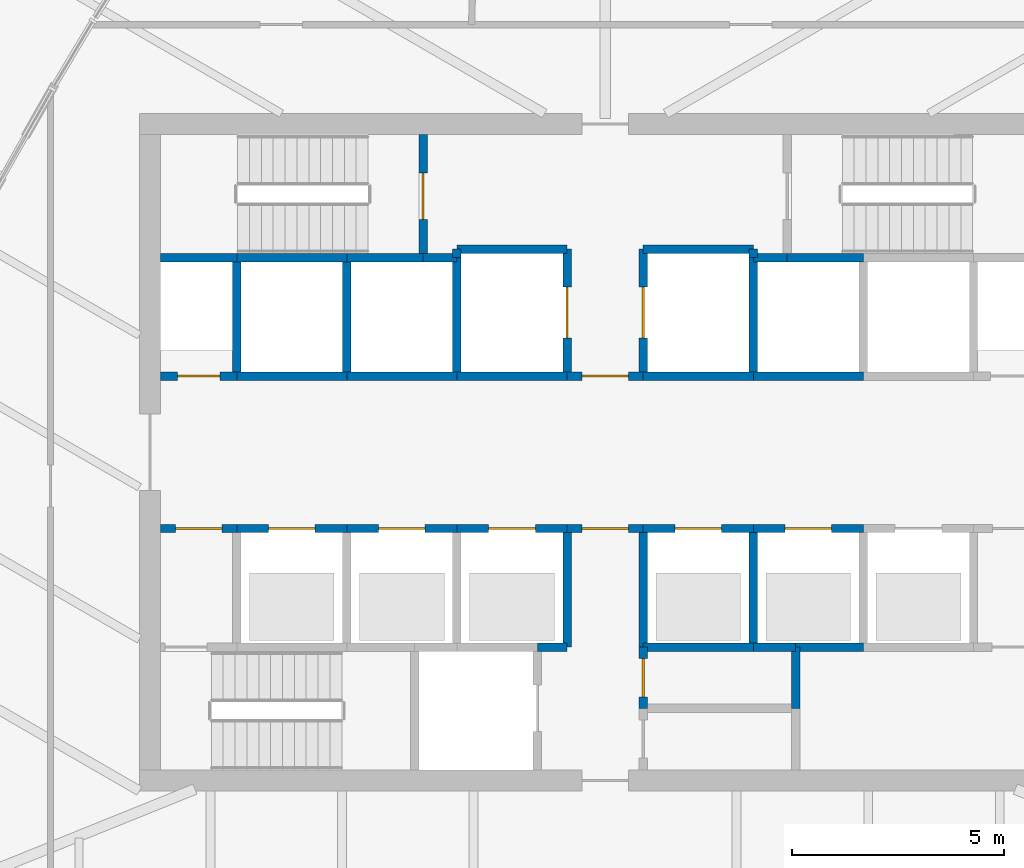
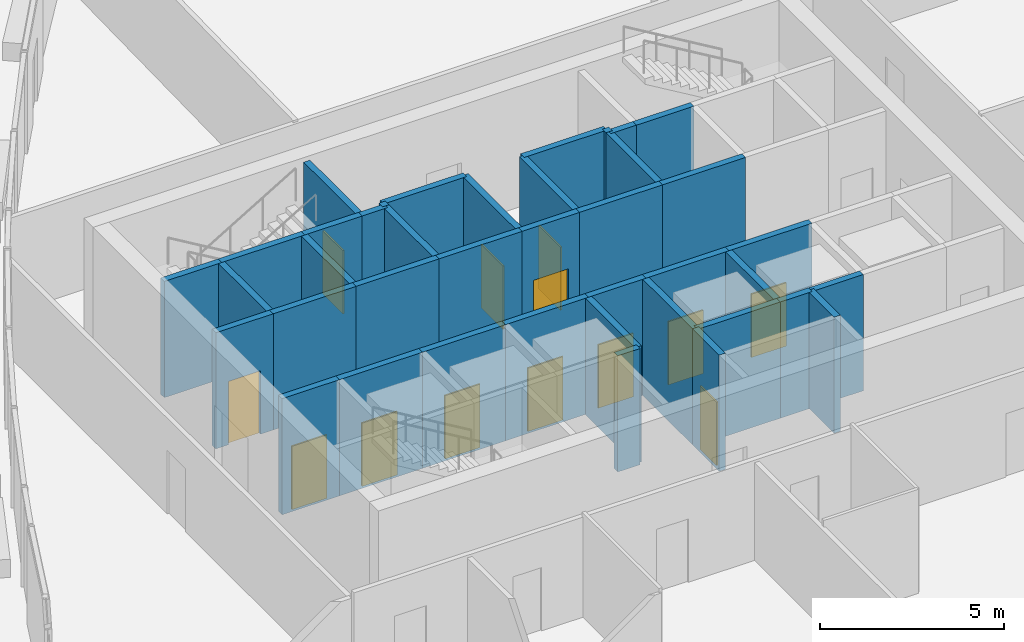
# One storey, part 10 of 18: 40 walls, 13 doors, 13 openings.
"""IFC4 building model written with IfcOpenShell, lengths in metres."""

from ifc_helpers import new_model, si_unit, direction, frame, frame_2d, origin, place, context, subcontext, project, spatial, rectangle, extrude, material, layer, layer_set, type_object, element, fill, save


model = new_model("IFC4")

# Units and contexts
model_context = context("Model", 3, precision=1e-05, world=origin(), true_north=direction((0.0, 1.0)))
body_context = subcontext(model_context, "Body", "Model", "MODEL_VIEW")
ifc_project = project(units=[si_unit("LENGTHUNIT", "METRE"), si_unit("AREAUNIT", "SQUARE_METRE"), si_unit("VOLUMEUNIT", "CUBIC_METRE"), si_unit("PLANEANGLEUNIT", "RADIAN"), si_unit("MASSUNIT", "GRAM", prefix="KILO")], contexts=[model_context])

# Site, building, storey
site_placement = place(None, origin())
site = spatial("IfcSite", under=ifc_project, at=site_placement, CompositionType="ELEMENT")
building_placement = place(site_placement, origin())
building = spatial("IfcBuilding", under=site, at=building_placement, Name="Sierra Prisma Convention Tower", CompositionType="ELEMENT")
storey_placement = place(building_placement, frame((0.0, 0.0, 189.800048828125)))
storey = spatial("IfcBuildingStorey", under=building, at=storey_placement, Name="L42", CompositionType="ELEMENT", Elevation=189.800048828125)

# Wall, opening, door
ifc_material_1 = material(Name="Concrete C30/37", Category="concrete")
ifc_layer = layer(ifc_material_1, 0.199951171875)
ifc_layer_set = layer_set([ifc_layer], Name="Core wall RC 200 C30/37")
wall_type = type_object("IfcWallType", Name="Core wall RC 200 C30/37", PredefinedType="SOLIDWALL", material=ifc_layer_set)
wall_1_placement = place(storey_placement, frame((-10.5, -1.800048828125, 0.0), z_axis=(0.0, 0.0, 1.0), x_axis=(1.0, 0.0, 0.0)))
wall_1 = element("IfcWall", 1, at=wall_1_placement, inside=storey, type_object=wall_type, Name="Core wall L42 2", PredefinedType="SOLIDWALL", context=body_context, shape_type="SweptSolid", body=[
    extrude(rectangle(XDim=1.800048828125, YDim=0.199951171875, at=frame_2d((0.89990234375, 0.0))), origin(), (0.0, 0.0, 1.0), 3.849853515625),
])
opening_1_placement = place(wall_1_placement, frame((0.35009765625, 0.0, 0.0)))
opening_1 = element("IfcOpeningElement", 2, at=opening_1_placement, cuts=wall_1, Name="Opening L42-D013", PredefinedType="OPENING", context=body_context, shape_type="SweptSolid", body=[
    extrude(rectangle(XDim=1.10009765625, YDim=2.10009765625, at=frame_2d((0.550048828125, 1.050048828125))), frame((0.0, 0.10009765625, 0.0), z_axis=(0.0, -1.0, 0.0), x_axis=(1.0, 0.0, 0.0)), (0.0, 0.0, 1.0), 0.199951171875),
])
ifc_material_2 = material(Name="Steel fire door leaf", Category="steel")
door_type_1 = type_object("IfcDoorType", Name="Door 1100x2100 FD90S", OperationType="SINGLE_SWING_LEFT", PredefinedType="DOOR", material=ifc_material_2)
door_1_placement = place(opening_1_placement, origin())
door_1 = element("IfcDoor", 3, at=door_1_placement, inside=storey, type_object=door_type_1, Name="Door L42 22", OperationType="SINGLE_SWING_RIGHT", OverallHeight=2.10009765625, OverallWidth=1.10009765625, PredefinedType="DOOR", context=body_context, shape_type="SweptSolid", body=[
    extrude(rectangle(XDim=1.10009765625, YDim=2.10009765625, at=frame_2d((0.550048828125, 1.050048828125))), frame((0.0, 0.02490234375, 0.0), z_axis=(0.0, -1.0, 0.0), x_axis=(1.0, 0.0, 0.0)), (0.0, 0.0, 1.0), 0.050048828125),
])
fill(opening_1, door_1)

wall_2_placement = place(storey_placement, frame((-8.699951171875, 1.800048828125, 0.0), z_axis=(0.0, 0.0, 1.0), x_axis=(-1.0, 0.0, 0.0)))
wall_2 = element("IfcWall", 4, at=wall_2_placement, inside=storey, type_object=wall_type, Name="Core wall L42 3", PredefinedType="SOLIDWALL", context=body_context, shape_type="SweptSolid", body=[
    extrude(rectangle(XDim=1.800048828125, YDim=0.199951171875, at=frame_2d((0.89990234375, 0.0))), origin(), (0.0, 0.0, 1.0), 3.849853515625),
])
opening_2_placement = place(wall_2_placement, frame((0.39990234375, 0.0, 0.0)))
opening_2 = element("IfcOpeningElement", 5, at=opening_2_placement, cuts=wall_2, Name="Opening L42-D016", PredefinedType="OPENING", context=body_context, shape_type="SweptSolid", body=[
    extrude(rectangle(XDim=1.0, YDim=2.10009765625, at=frame_2d((0.5, 1.050048828125))), frame((0.0, 0.10009765625, 0.0), z_axis=(0.0, -1.0, 0.0), x_axis=(1.0, 0.0, 0.0)), (0.0, 0.0, 1.0), 0.199951171875),
])
ifc_material_3 = material(Name="Steel fire door leaf", Category="steel")
door_type_2 = type_object("IfcDoorType", Name="Door 1000x2100 FD60S", OperationType="SINGLE_SWING_LEFT", PredefinedType="DOOR", material=ifc_material_3)
door_2_placement = place(opening_2_placement, origin())
door_2 = element("IfcDoor", 6, at=door_2_placement, inside=storey, type_object=door_type_2, Name="Door L42 25", OperationType="SINGLE_SWING_LEFT", OverallHeight=2.10009765625, OverallWidth=1.0, PredefinedType="DOOR", context=body_context, shape_type="SweptSolid", body=[
    extrude(rectangle(XDim=1.0, YDim=2.10009765625, at=frame_2d((0.5, 1.050048828125))), frame((0.0, 0.02490234375, 0.0), z_axis=(0.0, -1.0, 0.0), x_axis=(1.0, 0.0, 0.0)), (0.0, 0.0, 1.0), 0.050048828125),
])
fill(opening_2, door_2)

# Wall
wall_3_placement = place(storey_placement, frame((-8.699951171875, 4.60009765625, 0.0), z_axis=(0.0, 0.0, 1.0), x_axis=(-1.0, 0.0, 0.0)))
element("IfcWall", 7, at=wall_3_placement, inside=storey, type_object=wall_type, Name="Core wall L42 4", PredefinedType="SOLIDWALL", context=body_context, shape_type="SweptSolid", body=[
    extrude(rectangle(XDim=1.800048828125, YDim=0.199951171875, at=frame_2d((0.89990234375, 0.0))), origin(), (0.0, 0.0, 1.0), 3.849853515625),
])

# Wall, opening, door
wall_4_placement = place(storey_placement, frame((-8.699951171875, -1.800048828125, 0.0), z_axis=(0.0, 0.0, 1.0), x_axis=(1.0, 0.0, 0.0)))
wall_4 = element("IfcWall", 8, at=wall_4_placement, inside=storey, type_object=wall_type, Name="Core wall L42 7", PredefinedType="SOLIDWALL", context=body_context, shape_type="SweptSolid", body=[
    extrude(rectangle(XDim=2.599853515625, YDim=0.199951171875, at=frame_2d((1.2998046875, 0.0))), origin(), (0.0, 0.0, 1.0), 3.849853515625),
])
opening_3_placement = place(wall_4_placement, frame((0.75, 0.0, 0.0)))
opening_3 = element("IfcOpeningElement", 9, at=opening_3_placement, cuts=wall_4, Name="Opening L42-D004", PredefinedType="OPENING", context=body_context, shape_type="SweptSolid", body=[
    extrude(rectangle(XDim=1.10009765625, YDim=2.10009765625, at=frame_2d((0.550048828125, 1.050048828125))), frame((0.0, 0.10009765625, 0.0), z_axis=(0.0, -1.0, 0.0), x_axis=(1.0, 0.0, 0.0)), (0.0, 0.0, 1.0), 0.199951171875),
])
ifc_material_4 = material(Name="Steel fire door leaf", Category="steel")
door_type_3 = type_object("IfcDoorType", Name="Door 1100x2100 EI 90 sliding lift landing", OperationType="SLIDING_TO_LEFT", PredefinedType="DOOR", material=ifc_material_4)
door_3_placement = place(opening_3_placement, origin())
door_3 = element("IfcDoor", 10, at=door_3_placement, inside=storey, type_object=door_type_3, Name="Door L42 13", OperationType="SLIDING_TO_LEFT", OverallHeight=2.10009765625, OverallWidth=1.10009765625, PredefinedType="DOOR", context=body_context, shape_type="SweptSolid", body=[
    extrude(rectangle(XDim=1.10009765625, YDim=2.10009765625, at=frame_2d((0.550048828125, 1.050048828125))), frame((0.0, 0.02490234375, 0.0), z_axis=(0.0, -1.0, 0.0), x_axis=(1.0, 0.0, 0.0)), (0.0, 0.0, 1.0), 0.050048828125),
])
fill(opening_3, door_3)

# Walls
wall_5_placement = place(storey_placement, frame((-6.10009765625, 1.800048828125, 0.0), z_axis=(0.0, 0.0, 1.0), x_axis=(-1.0, 0.0, 0.0)))
element("IfcWall", 11, at=wall_5_placement, inside=storey, type_object=wall_type, Name="Core wall L42 8", PredefinedType="SOLIDWALL", context=body_context, shape_type="SweptSolid", body=[
    extrude(rectangle(XDim=2.599853515625, YDim=0.199951171875, at=frame_2d((1.2998046875, 0.0))), origin(), (0.0, 0.0, 1.0), 3.849853515625),
])
wall_6_placement = place(storey_placement, frame((-8.699951171875, 1.800048828125, 0.0), z_axis=(0.0, 0.0, 1.0), x_axis=(0.0, 1.0, 0.0)))
element("IfcWall", 12, at=wall_6_placement, inside=storey, type_object=wall_type, Name="Core wall L42 9", PredefinedType="SOLIDWALL", context=body_context, shape_type="SweptSolid", body=[
    extrude(rectangle(XDim=2.800048828125, YDim=0.199951171875, at=frame_2d((1.39990234375, 0.0))), origin(), (0.0, 0.0, 1.0), 3.849853515625),
])
wall_7_placement = place(storey_placement, frame((-6.10009765625, 4.60009765625, 0.0), z_axis=(0.0, 0.0, 1.0), x_axis=(-1.0, 0.0, 0.0)))
element("IfcWall", 13, at=wall_7_placement, inside=storey, type_object=wall_type, Name="Core wall L42 10", PredefinedType="SOLIDWALL", context=body_context, shape_type="SweptSolid", body=[
    extrude(rectangle(XDim=2.599853515625, YDim=0.199951171875, at=frame_2d((1.2998046875, 0.0))), origin(), (0.0, 0.0, 1.0), 3.849853515625),
])

# Wall, opening, door
wall_8_placement = place(storey_placement, frame((-6.10009765625, -1.800048828125, 0.0), z_axis=(0.0, 0.0, 1.0), x_axis=(1.0, 0.0, 0.0)))
wall_8 = element("IfcWall", 14, at=wall_8_placement, inside=storey, type_object=wall_type, Name="Core wall L42 13", PredefinedType="SOLIDWALL", context=body_context, shape_type="SweptSolid", body=[
    extrude(rectangle(XDim=2.60009765625, YDim=0.199951171875, at=frame_2d((1.300048828125, 0.0))), origin(), (0.0, 0.0, 1.0), 3.849853515625),
])
opening_4_placement = place(wall_8_placement, frame((0.75, 0.0, 0.0)))
opening_4 = element("IfcOpeningElement", 15, at=opening_4_placement, cuts=wall_8, Name="Opening L42-D005", PredefinedType="OPENING", context=body_context, shape_type="SweptSolid", body=[
    extrude(rectangle(XDim=1.10009765625, YDim=2.10009765625, at=frame_2d((0.550048828125, 1.050048828125))), frame((0.0, 0.10009765625, 0.0), z_axis=(0.0, -1.0, 0.0), x_axis=(1.0, 0.0, 0.0)), (0.0, 0.0, 1.0), 0.199951171875),
])
door_4_placement = place(opening_4_placement, origin())
door_4 = element("IfcDoor", 16, at=door_4_placement, inside=storey, type_object=door_type_3, Name="Door L42 14", OperationType="SLIDING_TO_RIGHT", OverallHeight=2.10009765625, OverallWidth=1.10009765625, PredefinedType="DOOR", context=body_context, shape_type="SweptSolid", body=[
    extrude(rectangle(XDim=1.10009765625, YDim=2.10009765625, at=frame_2d((0.550048828125, 1.050048828125))), frame((0.0, 0.02490234375, 0.0), z_axis=(0.0, -1.0, 0.0), x_axis=(1.0, 0.0, 0.0)), (0.0, 0.0, 1.0), 0.050048828125),
])
fill(opening_4, door_4)

# Walls
wall_9_placement = place(storey_placement, frame((-3.5, 1.800048828125, 0.0), z_axis=(0.0, 0.0, 1.0), x_axis=(-1.0, 0.0, 0.0)))
element("IfcWall", 17, at=wall_9_placement, inside=storey, type_object=wall_type, Name="Core wall L42 14", PredefinedType="SOLIDWALL", context=body_context, shape_type="SweptSolid", body=[
    extrude(rectangle(XDim=2.60009765625, YDim=0.199951171875, at=frame_2d((1.300048828125, 0.0))), origin(), (0.0, 0.0, 1.0), 3.849853515625),
])
wall_10_placement = place(storey_placement, frame((-6.10009765625, 1.800048828125, 0.0), z_axis=(0.0, 0.0, 1.0), x_axis=(0.0, 1.0, 0.0)))
element("IfcWall", 18, at=wall_10_placement, inside=storey, type_object=wall_type, Name="Core wall L42 15", PredefinedType="SOLIDWALL", context=body_context, shape_type="SweptSolid", body=[
    extrude(rectangle(XDim=2.800048828125, YDim=0.199951171875, at=frame_2d((1.39990234375, 0.0))), origin(), (0.0, 0.0, 1.0), 3.849853515625),
])
wall_11_placement = place(storey_placement, frame((-4.300048828125, 4.60009765625, 0.0), z_axis=(0.0, 0.0, 1.0), x_axis=(-1.0, 0.0, 0.0)))
element("IfcWall", 19, at=wall_11_placement, inside=storey, type_object=wall_type, Name="Core wall L42 16", PredefinedType="SOLIDWALL", context=body_context, shape_type="SweptSolid", body=[
    extrude(rectangle(XDim=1.800048828125, YDim=0.199951171875, at=frame_2d((0.89990234375, 0.0))), origin(), (0.0, 0.0, 1.0), 3.849853515625),
])
wall_12_placement = place(storey_placement, frame((-3.5, 4.60009765625, 0.0), z_axis=(0.0, 0.0, 1.0), x_axis=(-1.0, 0.0, 0.0)))
element("IfcWall", 20, at=wall_12_placement, inside=storey, type_object=wall_type, Name="Core wall L42 19", PredefinedType="SOLIDWALL", context=body_context, shape_type="SweptSolid", body=[
    extrude(rectangle(XDim=0.800048828125, YDim=0.199951171875, at=frame_2d((0.39990234375, 0.0))), origin(), (0.0, 0.0, 1.0), 3.849853515625),
])

# Wall, opening, door
wall_13_placement = place(storey_placement, frame((-4.300048828125, 4.60009765625, 0.0), z_axis=(0.0, 0.0, 1.0), x_axis=(0.0, 1.0, 0.0)))
wall_13 = element("IfcWall", 21, at=wall_13_placement, inside=storey, type_object=wall_type, Name="Core wall L42 20", PredefinedType="SOLIDWALL", context=body_context, shape_type="SweptSolid", body=[
    extrude(rectangle(XDim=2.89990234375, YDim=0.199951171875, at=frame_2d((1.449951171875, 0.0))), origin(), (0.0, 0.0, 1.0), 3.849853515625),
])
opening_5_placement = place(wall_13_placement, frame((0.89990234375, 0.0, 0.0)))
opening_5 = element("IfcOpeningElement", 22, at=opening_5_placement, cuts=wall_13, Name="Opening L42-D019", PredefinedType="OPENING", context=body_context, shape_type="SweptSolid", body=[
    extrude(rectangle(XDim=1.10009765625, YDim=2.10009765625, at=frame_2d((0.550048828125, 1.050048828125))), frame((0.0, 0.10009765625, 0.0), z_axis=(0.0, -1.0, 0.0), x_axis=(1.0, 0.0, 0.0)), (0.0, 0.0, 1.0), 0.199951171875),
])
door_5_placement = place(opening_5_placement, origin())
door_5 = element("IfcDoor", 23, at=door_5_placement, inside=storey, type_object=door_type_1, Name="Door L42 28", OperationType="SINGLE_SWING_RIGHT", OverallHeight=2.10009765625, OverallWidth=1.10009765625, PredefinedType="DOOR", context=body_context, shape_type="SweptSolid", body=[
    extrude(rectangle(XDim=1.10009765625, YDim=2.10009765625, at=frame_2d((0.550048828125, 1.050048828125))), frame((0.0, 0.02490234375, 0.0), z_axis=(0.0, -1.0, 0.0), x_axis=(1.0, 0.0, 0.0)), (0.0, 0.0, 1.0), 0.050048828125),
])
fill(opening_5, door_5)

wall_14_placement = place(storey_placement, frame((-3.5, -1.800048828125, 0.0), z_axis=(0.0, 0.0, 1.0), x_axis=(1.0, 0.0, 0.0)))
wall_14 = element("IfcWall", 24, at=wall_14_placement, inside=storey, type_object=wall_type, Name="Core wall L42 23", PredefinedType="SOLIDWALL", context=body_context, shape_type="SweptSolid", body=[
    extrude(rectangle(XDim=2.60009765625, YDim=0.199951171875, at=frame_2d((1.300048828125, 0.0))), origin(), (0.0, 0.0, 1.0), 3.849853515625),
])
opening_6_placement = place(wall_14_placement, frame((0.75, 0.0, 0.0)))
opening_6 = element("IfcOpeningElement", 25, at=opening_6_placement, cuts=wall_14, Name="Opening L42-D006", PredefinedType="OPENING", context=body_context, shape_type="SweptSolid", body=[
    extrude(rectangle(XDim=1.10009765625, YDim=2.10009765625, at=frame_2d((0.550048828125, 1.050048828125))), frame((0.0, 0.10009765625, 0.0), z_axis=(0.0, -1.0, 0.0), x_axis=(1.0, 0.0, 0.0)), (0.0, 0.0, 1.0), 0.199951171875),
])
door_6_placement = place(opening_6_placement, origin())
door_6 = element("IfcDoor", 26, at=door_6_placement, inside=storey, type_object=door_type_3, Name="Door L42 15", OperationType="SLIDING_TO_RIGHT", OverallHeight=2.10009765625, OverallWidth=1.10009765625, PredefinedType="DOOR", context=body_context, shape_type="SweptSolid", body=[
    extrude(rectangle(XDim=1.10009765625, YDim=2.10009765625, at=frame_2d((0.550048828125, 1.050048828125))), frame((0.0, 0.02490234375, 0.0), z_axis=(0.0, -1.0, 0.0), x_axis=(1.0, 0.0, 0.0)), (0.0, 0.0, 1.0), 0.050048828125),
])
fill(opening_6, door_6)

# Walls
wall_15_placement = place(storey_placement, frame((-0.89990234375, 1.800048828125, 0.0), z_axis=(0.0, 0.0, 1.0), x_axis=(-1.0, 0.0, 0.0)))
element("IfcWall", 27, at=wall_15_placement, inside=storey, type_object=wall_type, Name="Core wall L42 24", PredefinedType="SOLIDWALL", context=body_context, shape_type="SweptSolid", body=[
    extrude(rectangle(XDim=2.60009765625, YDim=0.199951171875, at=frame_2d((1.300048828125, 0.0))), origin(), (0.0, 0.0, 1.0), 3.849853515625),
])
wall_16_placement = place(storey_placement, frame((-3.5, 4.60009765625, 0.0), z_axis=(0.0, 0.0, 1.0), x_axis=(0.0, -1.0, 0.0)))
element("IfcWall", 28, at=wall_16_placement, inside=storey, type_object=wall_type, Name="Core wall L42 25", PredefinedType="SOLIDWALL", context=body_context, shape_type="SweptSolid", body=[
    extrude(rectangle(XDim=2.800048828125, YDim=0.199951171875, at=frame_2d((1.39990234375, 0.0))), origin(), (0.0, 0.0, 1.0), 3.849853515625),
])

# Wall, opening, door
wall_17_placement = place(storey_placement, frame((-0.89990234375, 1.800048828125, 0.0), z_axis=(0.0, 0.0, 1.0), x_axis=(0.0, 1.0, 0.0)))
wall_17 = element("IfcWall", 29, at=wall_17_placement, inside=storey, type_object=wall_type, Name="Core wall L42 26", PredefinedType="SOLIDWALL", context=body_context, shape_type="SweptSolid", body=[
    extrude(rectangle(XDim=3.0, YDim=0.199951171875, at=frame_2d((1.5, 0.0))), origin(), (0.0, 0.0, 1.0), 3.849853515625),
])
opening_7_placement = place(wall_17_placement, frame((0.89990234375, 0.0, 0.0)))
opening_7 = element("IfcOpeningElement", 30, at=opening_7_placement, cuts=wall_17, Name="Opening L42-D010", PredefinedType="OPENING", context=body_context, shape_type="SweptSolid", body=[
    extrude(rectangle(XDim=1.199951171875, YDim=2.10009765625, at=frame_2d((0.60009765625, 1.050048828125))), frame((0.0, 0.10009765625, 0.0), z_axis=(0.0, -1.0, 0.0), x_axis=(1.0, 0.0, 0.0)), (0.0, 0.0, 1.0), 0.199951171875),
])
ifc_material_5 = material(Name="Steel fire door leaf", Category="steel")
door_type_4 = type_object("IfcDoorType", Name="Door 1200x2100 EI 90 sliding lift landing", OperationType="SLIDING_TO_LEFT", PredefinedType="DOOR", material=ifc_material_5)
door_7_placement = place(opening_7_placement, origin())
door_7 = element("IfcDoor", 31, at=door_7_placement, inside=storey, type_object=door_type_4, Name="Door L42 19", OperationType="SLIDING_TO_RIGHT", OverallHeight=2.10009765625, OverallWidth=1.199951171875, PredefinedType="DOOR", context=body_context, shape_type="SweptSolid", body=[
    extrude(rectangle(XDim=1.199951171875, YDim=2.10009765625, at=frame_2d((0.60009765625, 1.050048828125))), frame((0.0, 0.02490234375, 0.0), z_axis=(0.0, -1.0, 0.0), x_axis=(1.0, 0.0, 0.0)), (0.0, 0.0, 1.0), 0.050048828125),
])
fill(opening_7, door_7)

# Walls
wall_18_placement = place(storey_placement, frame((-0.89990234375, 4.800048828125, 0.0), z_axis=(0.0, 0.0, 1.0), x_axis=(-1.0, 0.0, 0.0)))
element("IfcWall", 32, at=wall_18_placement, inside=storey, type_object=wall_type, Name="Core wall L42 27", PredefinedType="SOLIDWALL", context=body_context, shape_type="SweptSolid", body=[
    extrude(rectangle(XDim=2.60009765625, YDim=0.199951171875, at=frame_2d((1.300048828125, 0.0))), origin(), (0.0, 0.0, 1.0), 3.849853515625),
])
wall_19_placement = place(storey_placement, frame((-3.5, 4.800048828125, 0.0), z_axis=(0.0, 0.0, 1.0), x_axis=(0.0, -1.0, 0.0)))
element("IfcWall", 33, at=wall_19_placement, inside=storey, type_object=wall_type, Name="Core wall L42 28", PredefinedType="SOLIDWALL", context=body_context, shape_type="SweptSolid", body=[
    extrude(rectangle(XDim=0.199951171875, YDim=0.199951171875, at=frame_2d((0.10009765625, 0.0))), origin(), (0.0, 0.0, 1.0), 3.849853515625),
])
wall_20_placement = place(storey_placement, frame((-1.60009765625, -4.60009765625, 0.0), z_axis=(0.0, 0.0, 1.0), x_axis=(1.0, 0.0, 0.0)))
element("IfcWall", 34, at=wall_20_placement, inside=storey, type_object=wall_type, Name="Core wall L42 30", PredefinedType="SOLIDWALL", context=body_context, shape_type="SweptSolid", body=[
    extrude(rectangle(XDim=0.7001953125, YDim=0.199951171875, at=frame_2d((0.35009765625, 0.0))), origin(), (0.0, 0.0, 1.0), 3.849853515625),
])
wall_21_placement = place(storey_placement, frame((-0.89990234375, -4.60009765625, 0.0), z_axis=(0.0, 0.0, 1.0), x_axis=(0.0, 1.0, 0.0)))
element("IfcWall", 35, at=wall_21_placement, inside=storey, type_object=wall_type, Name="Core wall L42 31", PredefinedType="SOLIDWALL", context=body_context, shape_type="SweptSolid", body=[
    extrude(rectangle(XDim=2.800048828125, YDim=0.199951171875, at=frame_2d((1.39990234375, 0.0))), origin(), (0.0, 0.0, 1.0), 3.849853515625),
])

# Wall, opening, door
wall_22_placement = place(storey_placement, frame((-0.89990234375, -1.800048828125, 0.0), z_axis=(0.0, 0.0, 1.0), x_axis=(1.0, 0.0, 0.0)))
wall_22 = element("IfcWall", 36, at=wall_22_placement, inside=storey, type_object=wall_type, Name="Core wall L42 32", PredefinedType="SOLIDWALL", context=body_context, shape_type="SweptSolid", body=[
    extrude(rectangle(XDim=1.7998046875, YDim=0.199951171875, at=frame_2d((0.89990234375, 0.0))), origin(), (0.0, 0.0, 1.0), 3.849853515625),
])
opening_8_placement = place(wall_22_placement, frame((0.35009765625, 0.0, 0.0)))
opening_8 = element("IfcOpeningElement", 37, at=opening_8_placement, cuts=wall_22, Name="Opening L42-D015", PredefinedType="OPENING", context=body_context, shape_type="SweptSolid", body=[
    extrude(rectangle(XDim=1.10009765625, YDim=2.10009765625, at=frame_2d((0.550048828125, 1.050048828125))), frame((0.0, 0.10009765625, 0.0), z_axis=(0.0, -1.0, 0.0), x_axis=(1.0, 0.0, 0.0)), (0.0, 0.0, 1.0), 0.199951171875),
])
ifc_material_6 = material(Name="Steel fire door leaf", Category="steel")
door_type_5 = type_object("IfcDoorType", Name="Door 1100x2100 FD30S", OperationType="SINGLE_SWING_LEFT", PredefinedType="DOOR", material=ifc_material_6)
door_8_placement = place(opening_8_placement, origin())
door_8 = element("IfcDoor", 38, at=door_8_placement, inside=storey, type_object=door_type_5, Name="Door L42 24", OperationType="SINGLE_SWING_RIGHT", OverallHeight=2.10009765625, OverallWidth=1.10009765625, PredefinedType="DOOR", context=body_context, shape_type="SweptSolid", body=[
    extrude(rectangle(XDim=1.10009765625, YDim=2.10009765625, at=frame_2d((0.550048828125, 1.050048828125))), frame((0.0, 0.02490234375, 0.0), z_axis=(0.0, -1.0, 0.0), x_axis=(1.0, 0.0, 0.0)), (0.0, 0.0, 1.0), 0.050048828125),
])
fill(opening_8, door_8)

wall_23_placement = place(storey_placement, frame((0.89990234375, 1.800048828125, 0.0), z_axis=(0.0, 0.0, 1.0), x_axis=(-1.0, 0.0, 0.0)))
wall_23 = element("IfcWall", 39, at=wall_23_placement, inside=storey, type_object=wall_type, Name="Core wall L42 33", PredefinedType="SOLIDWALL", context=body_context, shape_type="SweptSolid", body=[
    extrude(rectangle(XDim=1.7998046875, YDim=0.199951171875, at=frame_2d((0.89990234375, 0.0))), origin(), (0.0, 0.0, 1.0), 3.849853515625),
])
opening_9_placement = place(wall_23_placement, frame((0.35009765625, 0.0, 0.0)))
opening_9 = element("IfcOpeningElement", 40, at=opening_9_placement, cuts=wall_23, Name="Opening L42-D014", PredefinedType="OPENING", context=body_context, shape_type="SweptSolid", body=[
    extrude(rectangle(XDim=1.10009765625, YDim=2.10009765625, at=frame_2d((0.550048828125, 1.050048828125))), frame((0.0, 0.10009765625, 0.0), z_axis=(0.0, -1.0, 0.0), x_axis=(1.0, 0.0, 0.0)), (0.0, 0.0, 1.0), 0.199951171875),
])
ifc_material_7 = material(Name="Steel fire door leaf", Category="steel")
door_type_6 = type_object("IfcDoorType", Name="Door 1100x2100 FD60S", OperationType="SINGLE_SWING_LEFT", PredefinedType="DOOR", material=ifc_material_7)
door_9_placement = place(opening_9_placement, origin())
door_9 = element("IfcDoor", 41, at=door_9_placement, inside=storey, type_object=door_type_6, Name="Door L42 23", OperationType="SINGLE_SWING_LEFT", OverallHeight=2.10009765625, OverallWidth=1.10009765625, PredefinedType="DOOR", context=body_context, shape_type="SweptSolid", body=[
    extrude(rectangle(XDim=1.10009765625, YDim=2.10009765625, at=frame_2d((0.550048828125, 1.050048828125))), frame((0.0, 0.02490234375, 0.0), z_axis=(0.0, -1.0, 0.0), x_axis=(1.0, 0.0, 0.0)), (0.0, 0.0, 1.0), 0.050048828125),
])
fill(opening_9, door_9)

wall_24_placement = place(storey_placement, frame((0.89990234375, -4.60009765625, 0.0), z_axis=(0.0, 0.0, 1.0), x_axis=(0.0, -1.0, 0.0)))
wall_24 = element("IfcWall", 42, at=wall_24_placement, inside=storey, type_object=wall_type, Name="Core wall L42 36", PredefinedType="SOLIDWALL", context=body_context, shape_type="SweptSolid", body=[
    extrude(rectangle(XDim=1.449951171875, YDim=0.199951171875, at=frame_2d((0.72509765625, 0.0))), origin(), (0.0, 0.0, 1.0), 3.849853515625),
])
opening_10_placement = place(wall_24_placement, frame((0.27490234375, 0.0, 0.0)))
opening_10 = element("IfcOpeningElement", 43, at=opening_10_placement, cuts=wall_24, Name="Opening L42-D024", PredefinedType="OPENING", context=body_context, shape_type="SweptSolid", body=[
    extrude(rectangle(XDim=0.89990234375, YDim=2.10009765625, at=frame_2d((0.449951171875, 1.050048828125))), frame((0.0, 0.10009765625, 0.0), z_axis=(0.0, -1.0, 0.0), x_axis=(1.0, 0.0, 0.0)), (0.0, 0.0, 1.0), 0.199951171875),
])
ifc_material_8 = material(Name="Steel fire door leaf", Category="steel")
door_type_7 = type_object("IfcDoorType", Name="Door 900x2100 FD30S", OperationType="SINGLE_SWING_LEFT", PredefinedType="DOOR", material=ifc_material_8)
door_10_placement = place(opening_10_placement, origin())
door_10 = element("IfcDoor", 44, at=door_10_placement, inside=storey, type_object=door_type_7, Name="Door L42 33", OperationType="SINGLE_SWING_RIGHT", OverallHeight=2.10009765625, OverallWidth=0.89990234375, PredefinedType="DOOR", context=body_context, shape_type="SweptSolid", body=[
    extrude(rectangle(XDim=0.89990234375, YDim=2.10009765625, at=frame_2d((0.449951171875, 1.050048828125))), frame((0.0, 0.02490234375, 0.0), z_axis=(0.0, -1.0, 0.0), x_axis=(1.0, 0.0, 0.0)), (0.0, 0.0, 1.0), 0.050048828125),
])
fill(opening_10, door_10)

# Walls
wall_25_placement = place(storey_placement, frame((3.5, -4.60009765625, 0.0), z_axis=(0.0, 0.0, 1.0), x_axis=(-1.0, 0.0, 0.0)))
element("IfcWall", 45, at=wall_25_placement, inside=storey, type_object=wall_type, Name="Core wall L42 37", PredefinedType="SOLIDWALL", context=body_context, shape_type="SweptSolid", body=[
    extrude(rectangle(XDim=2.60009765625, YDim=0.199951171875, at=frame_2d((1.300048828125, 0.0))), origin(), (0.0, 0.0, 1.0), 3.849853515625),
])
wall_26_placement = place(storey_placement, frame((0.89990234375, -1.800048828125, 0.0), z_axis=(0.0, 0.0, 1.0), x_axis=(0.0, -1.0, 0.0)))
element("IfcWall", 46, at=wall_26_placement, inside=storey, type_object=wall_type, Name="Core wall L42 38", PredefinedType="SOLIDWALL", context=body_context, shape_type="SweptSolid", body=[
    extrude(rectangle(XDim=2.800048828125, YDim=0.199951171875, at=frame_2d((1.39990234375, 0.0))), origin(), (0.0, 0.0, 1.0), 3.849853515625),
])

# Wall, opening, door
wall_27_placement = place(storey_placement, frame((0.89990234375, -1.800048828125, 0.0), z_axis=(0.0, 0.0, 1.0), x_axis=(1.0, 0.0, 0.0)))
wall_27 = element("IfcWall", 47, at=wall_27_placement, inside=storey, type_object=wall_type, Name="Core wall L42 39", PredefinedType="SOLIDWALL", context=body_context, shape_type="SweptSolid", body=[
    extrude(rectangle(XDim=2.60009765625, YDim=0.199951171875, at=frame_2d((1.300048828125, 0.0))), origin(), (0.0, 0.0, 1.0), 3.849853515625),
])
opening_11_placement = place(wall_27_placement, frame((0.75, 0.0, 0.0)))
opening_11 = element("IfcOpeningElement", 48, at=opening_11_placement, cuts=wall_27, Name="Opening L42-D007", PredefinedType="OPENING", context=body_context, shape_type="SweptSolid", body=[
    extrude(rectangle(XDim=1.10009765625, YDim=2.10009765625, at=frame_2d((0.550048828125, 1.050048828125))), frame((0.0, 0.10009765625, 0.0), z_axis=(0.0, -1.0, 0.0), x_axis=(1.0, 0.0, 0.0)), (0.0, 0.0, 1.0), 0.199951171875),
])
door_11_placement = place(opening_11_placement, origin())
door_11 = element("IfcDoor", 49, at=door_11_placement, inside=storey, type_object=door_type_3, Name="Door L42 16", OperationType="SLIDING_TO_LEFT", OverallHeight=2.10009765625, OverallWidth=1.10009765625, PredefinedType="DOOR", context=body_context, shape_type="SweptSolid", body=[
    extrude(rectangle(XDim=1.10009765625, YDim=2.10009765625, at=frame_2d((0.550048828125, 1.050048828125))), frame((0.0, 0.02490234375, 0.0), z_axis=(0.0, -1.0, 0.0), x_axis=(1.0, 0.0, 0.0)), (0.0, 0.0, 1.0), 0.050048828125),
])
fill(opening_11, door_11)

# Walls
wall_28_placement = place(storey_placement, frame((3.5, 1.800048828125, 0.0), z_axis=(0.0, 0.0, 1.0), x_axis=(-1.0, 0.0, 0.0)))
element("IfcWall", 50, at=wall_28_placement, inside=storey, type_object=wall_type, Name="Core wall L42 40", PredefinedType="SOLIDWALL", context=body_context, shape_type="SweptSolid", body=[
    extrude(rectangle(XDim=2.60009765625, YDim=0.199951171875, at=frame_2d((1.300048828125, 0.0))), origin(), (0.0, 0.0, 1.0), 3.849853515625),
])
wall_29_placement = place(storey_placement, frame((3.5, 4.60009765625, 0.0), z_axis=(0.0, 0.0, 1.0), x_axis=(0.0, 1.0, 0.0)))
element("IfcWall", 51, at=wall_29_placement, inside=storey, type_object=wall_type, Name="Core wall L42 41", PredefinedType="SOLIDWALL", context=body_context, shape_type="SweptSolid", body=[
    extrude(rectangle(XDim=0.199951171875, YDim=0.199951171875, at=frame_2d((0.10009765625, 0.0))), origin(), (0.0, 0.0, 1.0), 3.849853515625),
])
wall_30_placement = place(storey_placement, frame((3.5, 4.800048828125, 0.0), z_axis=(0.0, 0.0, 1.0), x_axis=(-1.0, 0.0, 0.0)))
element("IfcWall", 52, at=wall_30_placement, inside=storey, type_object=wall_type, Name="Core wall L42 42", PredefinedType="SOLIDWALL", context=body_context, shape_type="SweptSolid", body=[
    extrude(rectangle(XDim=2.60009765625, YDim=0.199951171875, at=frame_2d((1.300048828125, 0.0))), origin(), (0.0, 0.0, 1.0), 3.849853515625),
])

# Wall, opening, door
wall_31_placement = place(storey_placement, frame((0.89990234375, 4.800048828125, 0.0), z_axis=(0.0, 0.0, 1.0), x_axis=(0.0, -1.0, 0.0)))
wall_31 = element("IfcWall", 53, at=wall_31_placement, inside=storey, type_object=wall_type, Name="Core wall L42 43", PredefinedType="SOLIDWALL", context=body_context, shape_type="SweptSolid", body=[
    extrude(rectangle(XDim=3.0, YDim=0.199951171875, at=frame_2d((1.5, 0.0))), origin(), (0.0, 0.0, 1.0), 3.849853515625),
])
opening_12_placement = place(wall_31_placement, frame((0.89990234375, 0.0, 0.0)))
opening_12 = element("IfcOpeningElement", 54, at=opening_12_placement, cuts=wall_31, Name="Opening L42-D011", PredefinedType="OPENING", context=body_context, shape_type="SweptSolid", body=[
    extrude(rectangle(XDim=1.199951171875, YDim=2.10009765625, at=frame_2d((0.60009765625, 1.050048828125))), frame((0.0, 0.10009765625, 0.0), z_axis=(0.0, -1.0, 0.0), x_axis=(1.0, 0.0, 0.0)), (0.0, 0.0, 1.0), 0.199951171875),
])
door_12_placement = place(opening_12_placement, origin())
door_12 = element("IfcDoor", 55, at=door_12_placement, inside=storey, type_object=door_type_4, Name="Door L42 20", OperationType="SLIDING_TO_RIGHT", OverallHeight=2.10009765625, OverallWidth=1.199951171875, PredefinedType="DOOR", context=body_context, shape_type="SweptSolid", body=[
    extrude(rectangle(XDim=1.199951171875, YDim=2.10009765625, at=frame_2d((0.60009765625, 1.050048828125))), frame((0.0, 0.02490234375, 0.0), z_axis=(0.0, -1.0, 0.0), x_axis=(1.0, 0.0, 0.0)), (0.0, 0.0, 1.0), 0.050048828125),
])
fill(opening_12, door_12)

# Walls
wall_32_placement = place(storey_placement, frame((4.5, -4.60009765625, 0.0), z_axis=(0.0, 0.0, 1.0), x_axis=(-1.0, 0.0, 0.0)))
element("IfcWall", 56, at=wall_32_placement, inside=storey, type_object=wall_type, Name="Core wall L42 44", PredefinedType="SOLIDWALL", context=body_context, shape_type="SweptSolid", body=[
    extrude(rectangle(XDim=1.0, YDim=0.199951171875, at=frame_2d((0.5, 0.0))), origin(), (0.0, 0.0, 1.0), 3.849853515625),
])
wall_33_placement = place(storey_placement, frame((3.5, -4.60009765625, 0.0), z_axis=(0.0, 0.0, 1.0), x_axis=(0.0, 1.0, 0.0)))
element("IfcWall", 57, at=wall_33_placement, inside=storey, type_object=wall_type, Name="Core wall L42 45", PredefinedType="SOLIDWALL", context=body_context, shape_type="SweptSolid", body=[
    extrude(rectangle(XDim=2.800048828125, YDim=0.199951171875, at=frame_2d((1.39990234375, 0.0))), origin(), (0.0, 0.0, 1.0), 3.849853515625),
])

# Wall, opening, door
wall_34_placement = place(storey_placement, frame((3.5, -1.800048828125, 0.0), z_axis=(0.0, 0.0, 1.0), x_axis=(1.0, 0.0, 0.0)))
wall_34 = element("IfcWall", 58, at=wall_34_placement, inside=storey, type_object=wall_type, Name="Core wall L42 46", PredefinedType="SOLIDWALL", context=body_context, shape_type="SweptSolid", body=[
    extrude(rectangle(XDim=2.60009765625, YDim=0.199951171875, at=frame_2d((1.300048828125, 0.0))), origin(), (0.0, 0.0, 1.0), 3.849853515625),
])
opening_13_placement = place(wall_34_placement, frame((0.75, 0.0, 0.0)))
opening_13 = element("IfcOpeningElement", 59, at=opening_13_placement, cuts=wall_34, Name="Opening L42-D008", PredefinedType="OPENING", context=body_context, shape_type="SweptSolid", body=[
    extrude(rectangle(XDim=1.10009765625, YDim=2.10009765625, at=frame_2d((0.550048828125, 1.050048828125))), frame((0.0, 0.10009765625, 0.0), z_axis=(0.0, -1.0, 0.0), x_axis=(1.0, 0.0, 0.0)), (0.0, 0.0, 1.0), 0.199951171875),
])
door_13_placement = place(opening_13_placement, origin())
door_13 = element("IfcDoor", 60, at=door_13_placement, inside=storey, type_object=door_type_3, Name="Door L42 17", OperationType="SLIDING_TO_LEFT", OverallHeight=2.10009765625, OverallWidth=1.10009765625, PredefinedType="DOOR", context=body_context, shape_type="SweptSolid", body=[
    extrude(rectangle(XDim=1.10009765625, YDim=2.10009765625, at=frame_2d((0.550048828125, 1.050048828125))), frame((0.0, 0.02490234375, 0.0), z_axis=(0.0, -1.0, 0.0), x_axis=(1.0, 0.0, 0.0)), (0.0, 0.0, 1.0), 0.050048828125),
])
fill(opening_13, door_13)

# Walls
wall_35_placement = place(storey_placement, frame((6.10009765625, 1.800048828125, 0.0), z_axis=(0.0, 0.0, 1.0), x_axis=(-1.0, 0.0, 0.0)))
element("IfcWall", 61, at=wall_35_placement, inside=storey, type_object=wall_type, Name="Core wall L42 47", PredefinedType="SOLIDWALL", context=body_context, shape_type="SweptSolid", body=[
    extrude(rectangle(XDim=2.60009765625, YDim=0.199951171875, at=frame_2d((1.300048828125, 0.0))), origin(), (0.0, 0.0, 1.0), 3.849853515625),
])
wall_36_placement = place(storey_placement, frame((3.5, 1.800048828125, 0.0), z_axis=(0.0, 0.0, 1.0), x_axis=(0.0, 1.0, 0.0)))
element("IfcWall", 62, at=wall_36_placement, inside=storey, type_object=wall_type, Name="Core wall L42 48", PredefinedType="SOLIDWALL", context=body_context, shape_type="SweptSolid", body=[
    extrude(rectangle(XDim=2.800048828125, YDim=0.199951171875, at=frame_2d((1.39990234375, 0.0))), origin(), (0.0, 0.0, 1.0), 3.849853515625),
])
wall_37_placement = place(storey_placement, frame((4.300048828125, 4.60009765625, 0.0), z_axis=(0.0, 0.0, 1.0), x_axis=(-1.0, 0.0, 0.0)))
element("IfcWall", 63, at=wall_37_placement, inside=storey, type_object=wall_type, Name="Core wall L42 49", PredefinedType="SOLIDWALL", context=body_context, shape_type="SweptSolid", body=[
    extrude(rectangle(XDim=0.800048828125, YDim=0.199951171875, at=frame_2d((0.39990234375, 0.0))), origin(), (0.0, 0.0, 1.0), 3.849853515625),
])
wall_38_placement = place(storey_placement, frame((6.10009765625, 4.60009765625, 0.0), z_axis=(0.0, 0.0, 1.0), x_axis=(-1.0, 0.0, 0.0)))
element("IfcWall", 64, at=wall_38_placement, inside=storey, type_object=wall_type, Name="Core wall L42 50", PredefinedType="SOLIDWALL", context=body_context, shape_type="SweptSolid", body=[
    extrude(rectangle(XDim=1.800048828125, YDim=0.199951171875, at=frame_2d((0.89990234375, 0.0))), origin(), (0.0, 0.0, 1.0), 3.849853515625),
])
wall_39_placement = place(storey_placement, frame((4.5, -4.60009765625, 0.0), z_axis=(0.0, 0.0, 1.0), x_axis=(0.0, -1.0, 0.0)))
element("IfcWall", 65, at=wall_39_placement, inside=storey, type_object=wall_type, Name="Core wall L42 53", PredefinedType="SOLIDWALL", context=body_context, shape_type="SweptSolid", body=[
    extrude(rectangle(XDim=1.449951171875, YDim=0.199951171875, at=frame_2d((0.72509765625, 0.0))), origin(), (0.0, 0.0, 1.0), 3.849853515625),
])
wall_40_placement = place(storey_placement, frame((6.10009765625, -4.60009765625, 0.0), z_axis=(0.0, 0.0, 1.0), x_axis=(-1.0, 0.0, 0.0)))
element("IfcWall", 66, at=wall_40_placement, inside=storey, type_object=wall_type, Name="Core wall L42 54", PredefinedType="SOLIDWALL", context=body_context, shape_type="SweptSolid", body=[
    extrude(rectangle(XDim=1.60009765625, YDim=0.199951171875, at=frame_2d((0.800048828125, 0.0))), origin(), (0.0, 0.0, 1.0), 3.849853515625),
])

save(model, "model.ifc")
